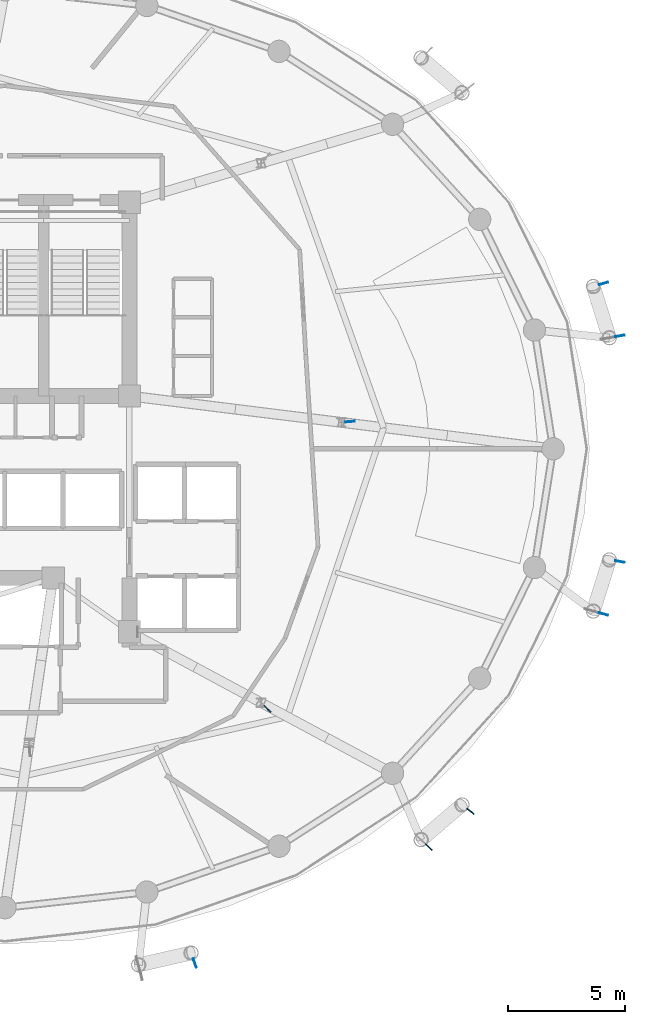
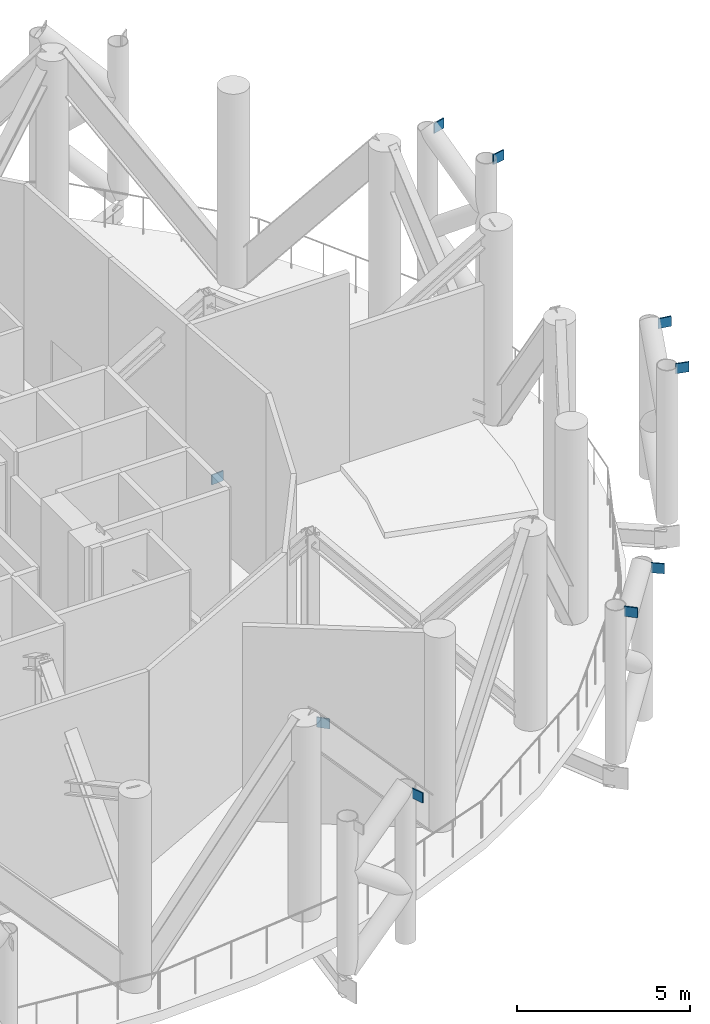
# One storey, part 12 of 18: 9 discrete accessories.
"""IFC4 building model written with IfcOpenShell, lengths in metres."""

from ifc_helpers import new_model, si_unit, direction, frame, origin, origin_2d, place, context, subcontext, project, spatial, rectangle, extrude, material, type_object, element, save


model = new_model("IFC4")

# Units and contexts
model_context = context("Model", 3, precision=1e-05, world=origin(), true_north=direction((0.0, 1.0)))
body_context = subcontext(model_context, "Body", "Model", "MODEL_VIEW")
ifc_project = project(units=[si_unit("LENGTHUNIT", "METRE"), si_unit("AREAUNIT", "SQUARE_METRE"), si_unit("VOLUMEUNIT", "CUBIC_METRE"), si_unit("PLANEANGLEUNIT", "RADIAN"), si_unit("MASSUNIT", "GRAM", prefix="KILO")], contexts=[model_context])

# Site, building, storey
site_placement = place(None, origin())
site = spatial("IfcSite", under=ifc_project, at=site_placement, CompositionType="ELEMENT")
building_placement = place(site_placement, origin())
building = spatial("IfcBuilding", under=site, at=building_placement, Name="Nuhasar Tower", CompositionType="ELEMENT")
storey_placement = place(building_placement, frame((0.0, 0.0, 195.949951171875)))
storey = spatial("IfcBuildingStorey", under=building, at=storey_placement, Name="L48", CompositionType="ELEMENT", Elevation=195.949951171875)

# Discrete accessories
ifc_material = material(Name="Steel S460", Category="steel")
discrete_accessory_type = type_object("IfcDiscreteAccessoryType", Name="ACC-GUS-40", PredefinedType="USERDEFINED", material=ifc_material)
for number, where, z_axis, x_axis, name in (
    (1, (65.196044921875, 31.60791015625, 5.080078125), (0.0, 0.0, 1.0), (0.98356832001, 0.180536311784, 0.0), "L48 Exoskeleton Chord Column EC-01A Gusset Plate"),
    (2, (64.4990234375, 33.842041015625, 5.080078125), (0.0, 0.0, 1.0), (0.963914422589, 0.266212294842, 0.0), "L48 Exoskeleton Chord Column EC-01B Gusset Plate"),
    (3, (47.0859375, 4.89697265625, 5.080078125), (0.0, 0.0, 1.0), (0.346313543819, -0.938118824759, 0.0), "L48 Exoskeleton Chord Column EC-10B Gusset Plate"),
    (4, (57.054931640625, 9.8310546875, 5.080078125), (0.0, 0.0, 1.0), (0.728681821056, -0.684852395529, 0.0), "L48 Exoskeleton Chord Column EC-11A Gusset Plate"),
    (5, (58.830078125, 11.35791015625, 5.080078125), (0.0, 0.0, 1.0), (0.788998306749, -0.614395371034, 0.0), "L48 Exoskeleton Chord Column EC-11B Gusset Plate"),
    (6, (64.4990234375, 19.758056640625, 5.080078125), (0.0, 0.0, 1.0), (0.963914422589, -0.266212294842, 0.0), "L48 Exoskeleton Chord Column EC-12A Gusset Plate"),
    (7, (65.196044921875, 21.991943359375, 5.080078125), (0.0, 0.0, 1.0), (0.98356832001, -0.180536311784, 0.0), "L48 Exoskeleton Chord Column EC-12B Gusset Plate"),
    (8, (50.176025390625, 15.719970703125, 0.0), (0.0, 0.0, 1.0), (0.710160800441, -0.704039514173, 0.0), "L48 Outrigger Truss Post 03 Gusset Plate"),
    (9, (53.7041015625, 27.955078125, 0.0), (0.0, 0.0, 1.0), (0.996931012245, 0.078285099635, 0.0), "L48 Outrigger Truss Post 04 Gusset Plate"),
):
    element("IfcDiscreteAccessory", number, at=place(storey_placement, frame(where, z_axis=z_axis, x_axis=x_axis)), inside=storey, type_object=discrete_accessory_type, Name=name, ObjectType="STEEL_GUSSET_PLATE", PredefinedType="USERDEFINED", context=body_context, shape_type="SweptSolid", body=[
        extrude(rectangle(XDim=0.39990234375, YDim=0.0400390625, at=origin_2d()), origin(), (0.0, 0.0, 1.0), 0.35009765625),
    ])

save(model, "model.ifc")
